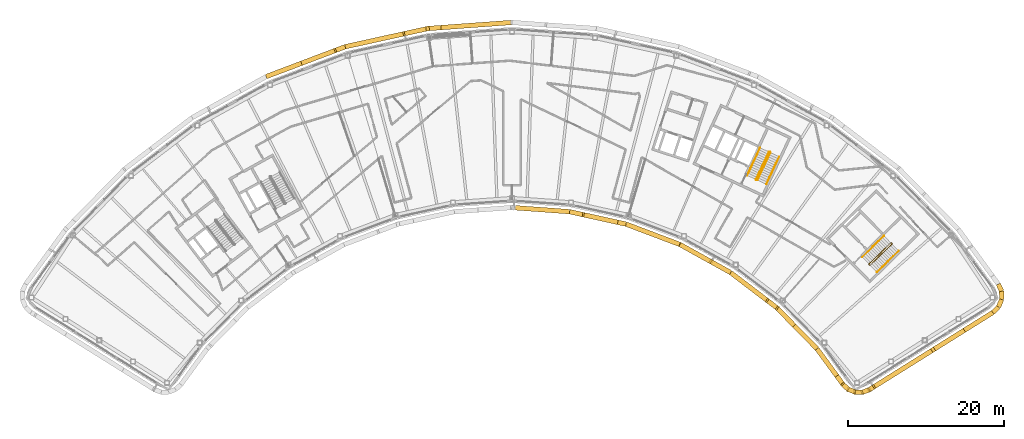
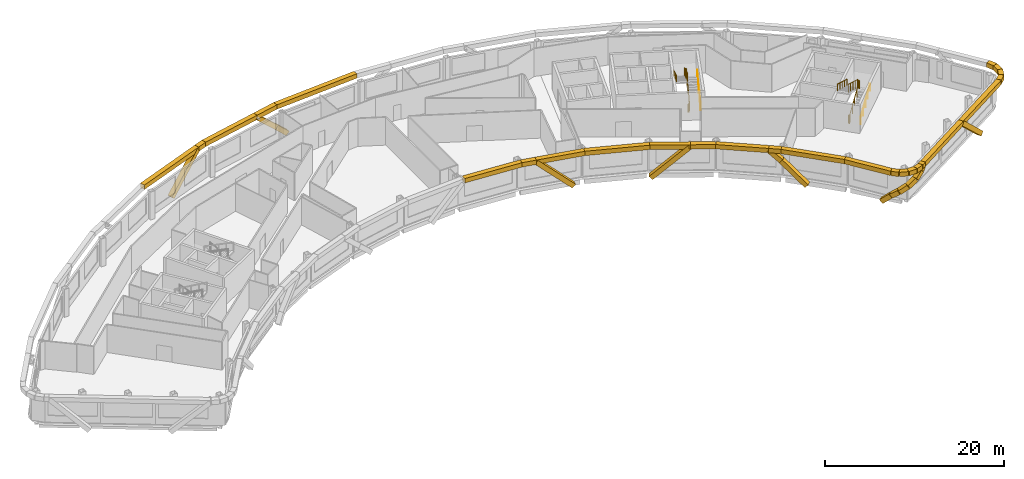
# One storey, part 15 of 17: 40 coverings, 6 railings.
"""IFC4 building model written with IfcOpenShell, lengths in metres."""

import ifcopenshell
import ifcopenshell.guid

model = None  # the IFC model being written
_history = None  # IfcOwnerHistory: only IFC2X3 demands one
_inside = {}  # id of a spatial element -> (the spatial element, [elements in it])
_under = {}  # id of a project, library or spatial element -> (it, [spatial elements below it])
_declared = {}  # id of a project -> (the project, [libraries it declares])
_typed = {}  # id of a type object -> (the type object, [elements of that type])
_made_of = {}  # id of a material, layer set ... -> (it, [elements and type objects made of it])


def new_model(schema):
    """Start an empty IFC model of exactly this schema.

    Asked for "IFC4X3", IfcOpenShell would pick the latest addendum, in which some entities
    have other attributes; the version numbers below select the first issue.
    IFC2X3 requires an IfcOwnerHistory on every rooted entity: one is made here for all.
    """
    global model, _history
    if schema == "IFC4X3":
        model = ifcopenshell.file(schema_version=(4, 3, 0, 0))
    else:
        model = ifcopenshell.file(schema=schema)
    _inside.clear()
    _under.clear()
    _declared.clear()
    _typed.clear()
    _made_of.clear()
    _history = None
    if model.schema == "IFC2X3":
        org = make("IfcOrganization", Name="unknown")
        user = make(
            "IfcPersonAndOrganization",
            ThePerson=make("IfcPerson", FamilyName="unknown"),
            TheOrganization=org,
        )
        app = make(
            "IfcApplication",
            ApplicationDeveloper=org,
            Version="unknown",
            ApplicationFullName="unknown",
            ApplicationIdentifier="unknown",
        )
        _history = make(
            "IfcOwnerHistory",
            OwningUser=user,
            OwningApplication=app,
            ChangeAction="ADDED",
            CreationDate=0,
        )
    return model


def make(cls, **values):
    """One entity of the class cls with the attributes given. An attribute that is None is left unset."""
    return model.create_entity(
        cls, **{name: value for name, value in values.items() if value is not None}
    )


def rooted(cls, **values):
    """An entity with a GlobalId (a new one), such as an element, a storey or a relation."""
    return make(cls, GlobalId=ifcopenshell.guid.new(), OwnerHistory=_history, **values)


def si_unit(unit_type, name, prefix=None):
    """IfcSIUnit, for example si_unit("LENGTHUNIT", "METRE", prefix="MILLI")."""
    return make("IfcSIUnit", UnitType=unit_type, Prefix=prefix, Name=name)


def assignment(units):
    """IfcUnitAssignment: the units of a project."""
    return None if units is None else make("IfcUnitAssignment", Units=units)


def point(xyz):
    """IfcCartesianPoint."""
    return None if xyz is None else make("IfcCartesianPoint", Coordinates=xyz)


def direction(xyz):
    """IfcDirection."""
    return None if xyz is None else make("IfcDirection", DirectionRatios=xyz)


def frame(location, z_axis=None, x_axis=None):
    """IfcAxis2Placement3D, a coordinate frame: its origin and axes. An axis left out is left unset."""
    return make(
        "IfcAxis2Placement3D",
        Location=point(location),
        Axis=direction(z_axis),
        RefDirection=direction(x_axis),
    )


def frame_2d(location, x_axis=None):
    """IfcAxis2Placement2D, a coordinate frame in the plane: its origin and x axis."""
    return make(
        "IfcAxis2Placement2D", Location=point(location), RefDirection=direction(x_axis)
    )


def origin():
    """The frame at (0, 0, 0) with its axes left unset."""
    return frame((0.0, 0.0, 0.0))


def origin_2d():
    """The frame at (0, 0) in the plane with its x axis left unset."""
    return frame_2d((0.0, 0.0))


def place(relative_to, where):
    """IfcLocalPlacement: puts the frame where relative to a parent placement (None: the world)."""
    return make(
        "IfcLocalPlacement", PlacementRelTo=relative_to, RelativePlacement=where
    )


def context(
    kind, dimensions, precision=None, world=None, true_north=None, identifier=None
):
    """IfcGeometricRepresentationContext, for example the 3D "Model" context."""
    return make(
        "IfcGeometricRepresentationContext",
        ContextIdentifier=identifier,
        ContextType=kind,
        CoordinateSpaceDimension=dimensions,
        Precision=precision,
        WorldCoordinateSystem=world,
        TrueNorth=true_north,
    )


def subcontext(parent, identifier, kind, view, scale=None):
    """IfcGeometricRepresentationSubContext, for example "Body" below "Model"."""
    return make(
        "IfcGeometricRepresentationSubContext",
        ContextIdentifier=identifier,
        ContextType=kind,
        ParentContext=parent,
        TargetScale=scale,
        TargetView=view,
    )


def project(units=None, contexts=None):
    """IfcProject with its units and contexts."""
    return rooted(
        "IfcProject",
        Name="project",
        RepresentationContexts=contexts,
        UnitsInContext=assignment(units),
    )


def spatial(cls, under=None, at=None, **own):
    """A site, building, storey or space (cls), placed at a placement, below another one or the project."""
    s = rooted(cls, ObjectPlacement=at, **own)
    if under is not None:
        _under.setdefault(under.id(), (under, []))[1].append(s)
    return s


def profile(cls, at=None, kind="AREA", **sizes):
    """A parametric profile (cls). Its sizes go by their IFC names, for example OverallWidth=200.0."""
    return make(cls, ProfileType=kind, Position=at, **sizes)


def rectangle(**sizes):
    """IfcRectangleProfileDef."""
    return profile("IfcRectangleProfileDef", **sizes)


def circle(**sizes):
    """IfcCircleProfileDef."""
    return profile("IfcCircleProfileDef", **sizes)


def extrude(swept, where, along, depth):
    """IfcExtrudedAreaSolid: the profile swept, set in the frame where, extruded along a direction by depth."""
    return make(
        "IfcExtrudedAreaSolid",
        SweptArea=swept,
        Position=where,
        ExtrudedDirection=direction(along),
        Depth=depth,
    )


def shape(context_of_items, identifier, shape_type, items):
    """IfcShapeRepresentation: the items that make up one representation, for example the "Body"."""
    return make(
        "IfcShapeRepresentation",
        ContextOfItems=context_of_items,
        RepresentationIdentifier=identifier,
        RepresentationType=shape_type,
        Items=items,
    )


def material(Name=None, Category=None):
    """IfcMaterial."""
    return make("IfcMaterial", Name=Name, Category=Category)


def material_profile(
    of_material, cross_section, Name=None, Category=None, Priority=None
):
    """IfcMaterialProfile: a cross section and its material."""
    return make(
        "IfcMaterialProfile",
        Name=Name,
        Material=of_material,
        Profile=cross_section,
        Priority=Priority,
        Category=Category,
    )


def profile_set(profiles, Name=None, composite=None):
    """IfcMaterialProfileSet."""
    return make(
        "IfcMaterialProfileSet",
        Name=Name,
        MaterialProfiles=profiles,
        CompositeProfile=composite,
    )


def made_of(thing, what):
    """Note that an element or type object is made of a material, layer set ...; save() writes the relation."""
    if what is not None:
        _made_of.setdefault(what.id(), (what, []))[1].append(thing)
    return thing


def type_object(cls, material=None, **own):
    """A type object (cls), such as IfcWallType, which elements share."""
    return made_of(rooted(cls, **own), material)


def element(
    cls,
    number,
    at=None,
    inside=None,
    cuts=None,
    type_object=None,
    material=None,
    context=None,
    identifier="Body",
    shape_type=None,
    held_by="IfcProductDefinitionShape",
    body=None,
    shapes=None,
    **own,
):
    """One element of the class cls, such as IfcWall. Its Tag is "e" and its number.

    at: its placement. inside: the storey or other place that contains it. cuts: it is an
    opening in that element (IfcRelVoidsElement). A single representation is given by context,
    identifier, shape_type and body (its items); several are given by shapes. held_by: the class
    of the entity that holds the representations. save() writes the other relations.
    """
    e = rooted(cls, Tag="e%d" % number, ObjectPlacement=at, **own)
    if body is not None:
        shapes = [shape(context, identifier, shape_type, body)]
    if shapes is not None:
        e.Representation = make(held_by, Representations=shapes)
    if inside is not None:
        _inside.setdefault(inside.id(), (inside, []))[1].append(e)
    if cuts is not None:
        rooted(
            "IfcRelVoidsElement", RelatingBuildingElement=cuts, RelatedOpeningElement=e
        )
    if type_object is not None:
        _typed.setdefault(type_object.id(), (type_object, []))[1].append(e)
    return made_of(e, material)


def aggregate(whole, parts):
    """IfcRelAggregates: a whole, such as a stair, and the parts it consists of."""
    return rooted("IfcRelAggregates", RelatingObject=whole, RelatedObjects=parts)


def save(model, path):
    """Write the relations noted so far, then the file.

    IfcRelAggregates (storeys below a building ...), IfcRelContainedInSpatialStructure (elements
    in a storey), IfcRelDefinesByType, IfcRelAssociatesMaterial and IfcRelDeclares: one each for
    every whole, place, type object, material and project.
    """
    for whole, parts in _under.values():
        aggregate(whole, parts)
    for where, things in _inside.values():
        rooted(
            "IfcRelContainedInSpatialStructure",
            RelatedElements=things,
            RelatingStructure=where,
        )
    for kind, things in _typed.values():
        rooted("IfcRelDefinesByType", RelatedObjects=things, RelatingType=kind)
    for what, things in _made_of.values():
        rooted("IfcRelAssociatesMaterial", RelatedObjects=things, RelatingMaterial=what)
    for by, libraries in _declared.values():
        rooted("IfcRelDeclares", RelatingContext=by, RelatedDefinitions=libraries)
    model.write(path)


model = new_model("IFC4")

# Units and contexts
model_context = context("Model", 3, precision=1e-05, world=origin(), true_north=direction((0.0, 1.0)))
body_context = subcontext(model_context, "Body", "Model", "MODEL_VIEW")
ifc_project = project(units=[si_unit("LENGTHUNIT", "METRE"), si_unit("AREAUNIT", "SQUARE_METRE"), si_unit("VOLUMEUNIT", "CUBIC_METRE"), si_unit("PLANEANGLEUNIT", "RADIAN"), si_unit("MASSUNIT", "GRAM", prefix="KILO")], contexts=[model_context])

# Site, building, storey
site_placement = place(None, origin())
site = spatial("IfcSite", under=ifc_project, at=site_placement, CompositionType="ELEMENT")
building_placement = place(site_placement, origin())
building = spatial("IfcBuilding", under=site, at=building_placement, Name="Tuul Gate Civic Tower", CompositionType="ELEMENT")
storey_placement = place(building_placement, frame((0.0, 0.0, 344.89990234375)))
storey = spatial("IfcBuildingStorey", under=building, at=storey_placement, Name="Level 78", CompositionType="ELEMENT", Elevation=344.89990234375)

# Railings
ifc_material_1 = material(Name="Painted steel", Category="steel")
railing_type_1 = type_object("IfcRailingType", Name="Stair guard", PredefinedType="GUARDRAIL", material=ifc_material_1)
railing_1_placement = place(storey_placement, frame((48.10546875, -16.134765625, 0.0)))
element("IfcRailing", 1, at=railing_1_placement, inside=storey, type_object=railing_type_1, Name="Level 78 ST-3 stair guard 1", PredefinedType="GUARDRAIL", context=body_context, shape_type="SweptSolid", body=[
    extrude(circle(Radius=0.02392578125, at=origin_2d()), frame((0.0, 0.0, 1.076171875), z_axis=(-0.698506948293, 0.715603272202, 0.0), x_axis=(-0.715603272202, -0.698506948293, 0.0)), (0.0, 0.0, 1.0), 0.099853515625),
    extrude(circle(Radius=0.02392578125, at=origin_2d()), frame((-0.06982421875, 0.071533203125, 1.076171875), z_axis=(0.644948864628, -0.331432055434, 0.688617277337), x_axis=(0.457068866502, 0.889431307788, 0.0)), (0.0, 0.0, 1.0), 0.218017578125),
    extrude(circle(Radius=0.02392578125, at=origin_2d()), frame((0.07080078125, -0.000732421875, 1.22607421875), z_axis=(0.638731261263, 0.626133563701, 0.447190268558), x_axis=(-0.700029477518, 0.714113947914, 0.0)), (0.0, 0.0, 1.0), 4.3603515625),
    extrude(circle(Radius=0.02392578125, at=origin_2d()), frame((2.85595703125, 2.7294921875, 3.17626953125), z_axis=(0.010380063588, 0.999946125689, 0.0), x_axis=(-0.999946125689, 0.010380063588, 0.0)), (0.0, 0.0, 1.0), 0.070556640625),
    extrude(circle(Radius=0.02392578125, at=origin_2d()), frame((2.856689453125, 2.800048828125, 3.17626953125), z_axis=(-0.699754442181, 0.714383454909, 0.0), x_axis=(-0.714383454909, -0.699754442181, 0.0)), (0.0, 0.0, 1.0), 0.10009765625),
    extrude(circle(Radius=0.02392578125, at=origin_2d()), frame((2.78662109375, 2.87158203125, 3.17626953125), z_axis=(-0.427069033481, 0.004417955519, 0.904208229508), x_axis=(-0.010344274102, -0.999946496565, 0.0)), (0.0, 0.0, 1.0), 0.165771484375),
    extrude(circle(Radius=0.02392578125, at=origin_2d()), frame((2.7158203125, 2.872314453125, 3.326171875), z_axis=(-0.638715268259, -0.626117886127, 0.447235059857), x_axis=(0.700029477518, -0.714113947914, 0.0)), (0.0, 0.0, 1.0), 4.360595703125),
    extrude(circle(Radius=0.02099609375, at=origin_2d()), origin(), (0.0, 0.0, 1.0), 1.052001953125),
    extrude(circle(Radius=0.02099609375, at=origin_2d()), frame((-0.06982421875, 0.071533203125, 0.0)), (0.0, 0.0, 1.0), 1.052001953125),
    extrude(circle(Radius=0.02099609375, at=origin_2d()), frame((0.07080078125, -0.000732421875, 0.150146484375)), (0.0, 0.0, 1.0), 1.052001953125),
    extrude(circle(Radius=0.02099609375, at=origin_2d()), frame((0.76708984375, 0.681884765625, 0.6376953125)), (0.0, 0.0, 1.0), 1.052001953125),
    extrude(circle(Radius=0.02099609375, at=origin_2d()), frame((1.46337890625, 1.3642578125, 1.125)), (0.0, 0.0, 1.0), 1.052001953125),
    extrude(circle(Radius=0.02099609375, at=origin_2d()), frame((2.15966796875, 2.046875, 1.612548828125)), (0.0, 0.0, 1.0), 1.052001953125),
    extrude(circle(Radius=0.02099609375, at=origin_2d()), frame((2.85595703125, 2.7294921875, 2.10009765625)), (0.0, 0.0, 1.0), 1.052001953125),
    extrude(circle(Radius=0.02099609375, at=origin_2d()), frame((2.856689453125, 2.800048828125, 2.10009765625)), (0.0, 0.0, 1.0), 1.052001953125),
    extrude(circle(Radius=0.02099609375, at=origin_2d()), frame((2.78662109375, 2.87158203125, 2.10009765625)), (0.0, 0.0, 1.0), 1.052001953125),
    extrude(circle(Radius=0.02099609375, at=origin_2d()), frame((2.7158203125, 2.872314453125, 2.25)), (0.0, 0.0, 1.0), 1.052001953125),
    extrude(circle(Radius=0.02099609375, at=origin_2d()), frame((2.01953125, 2.189697265625, 2.737548828125)), (0.0, 0.0, 1.0), 1.052001953125),
    extrude(circle(Radius=0.02099609375, at=origin_2d()), frame((1.3232421875, 1.50732421875, 3.22509765625)), (0.0, 0.0, 1.0), 1.052001953125),
    extrude(circle(Radius=0.02099609375, at=origin_2d()), frame((0.626953125, 0.82470703125, 3.712646484375)), (0.0, 0.0, 1.0), 1.052001953125),
    extrude(circle(Radius=0.02099609375, at=origin_2d()), frame((-0.0693359375, 0.14208984375, 4.2001953125)), (0.0, 0.0, 1.0), 1.052001953125),
])
railing_2_placement = place(storey_placement, frame((33.645751953125, -5.238525390625, 0.0)))
element("IfcRailing", 2, at=railing_2_placement, inside=storey, type_object=railing_type_1, Name="Level 78 ST-4 stair guard 1", PredefinedType="GUARDRAIL", context=body_context, shape_type="SweptSolid", body=[
    extrude(circle(Radius=0.02392578125, at=origin_2d()), frame((0.0, 0.0, 1.076171875), z_axis=(-0.906307919131, 0.422617978463, 0.0), x_axis=(-0.422617978463, -0.906307919131, 0.0)), (0.0, 0.0, 1.0), 0.099853515625),
    extrude(circle(Radius=0.02392578125, at=origin_2d()), frame((-0.090576171875, 0.042236328125, 1.076171875), z_axis=(0.720179819621, -0.082882280952, 0.688818956559), x_axis=(0.114330889033, 0.993442724979, 0.0)), (0.0, 0.0, 1.0), 0.218017578125),
    extrude(circle(Radius=0.02392578125, at=origin_2d()), frame((0.06640625, 0.024169921875, 1.22607421875), z_axis=(0.377946903738, 0.810654114417, 0.447209173356), x_axis=(-0.906336612539, 0.422556439746, 0.0)), (0.0, 0.0, 1.0), 4.3603515625),
    extrude(circle(Radius=0.02392578125, at=origin_2d()), frame((1.71435546875, 3.558837890625, 3.17626953125), z_axis=(-0.342020437038, 0.939692513883, 0.0), x_axis=(-0.939692513883, -0.342020437038, 0.0)), (0.0, 0.0, 1.0), 0.070556640625),
    extrude(circle(Radius=0.02392578125, at=origin_2d()), frame((1.690185546875, 3.625244140625, 3.17626953125), z_axis=(-0.906307919131, 0.422617978463, 0.0), x_axis=(-0.422617978463, -0.906307919131, 0.0)), (0.0, 0.0, 1.0), 0.099853515625),
    extrude(circle(Radius=0.02392578125, at=origin_2d()), frame((1.599609375, 3.66748046875, 3.17626953125), z_axis=(-0.40070210376, -0.145843780413, 0.904526072458), x_axis=(0.342020437038, -0.939692513883, 0.0)), (0.0, 0.0, 1.0), 0.165771484375),
    extrude(circle(Radius=0.02392578125, at=origin_2d()), frame((1.533203125, 3.643310546875, 3.326171875), z_axis=(-0.377937439636, -0.810633814971, 0.447253965602), x_axis=(0.906336612539, -0.422556439746, 0.0)), (0.0, 0.0, 1.0), 4.3603515625),
    extrude(circle(Radius=0.02099609375, at=origin_2d()), origin(), (0.0, 0.0, 1.0), 1.052001953125),
    extrude(circle(Radius=0.02099609375, at=origin_2d()), frame((-0.090576171875, 0.042236328125, 0.0)), (0.0, 0.0, 1.0), 1.052001953125),
    extrude(circle(Radius=0.02099609375, at=origin_2d()), frame((0.06640625, 0.024169921875, 0.150146484375)), (0.0, 0.0, 1.0), 1.052001953125),
    extrude(circle(Radius=0.02099609375, at=origin_2d()), frame((0.478515625, 0.90771484375, 0.6376953125)), (0.0, 0.0, 1.0), 1.052001953125),
    extrude(circle(Radius=0.02099609375, at=origin_2d()), frame((0.890380859375, 1.79150390625, 1.125)), (0.0, 0.0, 1.0), 1.052001953125),
    extrude(circle(Radius=0.02099609375, at=origin_2d()), frame((1.30224609375, 2.67529296875, 1.612548828125)), (0.0, 0.0, 1.0), 1.052001953125),
    extrude(circle(Radius=0.02099609375, at=origin_2d()), frame((1.71435546875, 3.558837890625, 2.10009765625)), (0.0, 0.0, 1.0), 1.052001953125),
    extrude(circle(Radius=0.02099609375, at=origin_2d()), frame((1.690185546875, 3.625244140625, 2.10009765625)), (0.0, 0.0, 1.0), 1.052001953125),
    extrude(circle(Radius=0.02099609375, at=origin_2d()), frame((1.599609375, 3.66748046875, 2.10009765625)), (0.0, 0.0, 1.0), 1.052001953125),
    extrude(circle(Radius=0.02099609375, at=origin_2d()), frame((1.533203125, 3.643310546875, 2.25)), (0.0, 0.0, 1.0), 1.052001953125),
    extrude(circle(Radius=0.02099609375, at=origin_2d()), frame((1.12109375, 2.759765625, 2.737548828125)), (0.0, 0.0, 1.0), 1.052001953125),
    extrude(circle(Radius=0.02099609375, at=origin_2d()), frame((0.709228515625, 1.8759765625, 3.22509765625)), (0.0, 0.0, 1.0), 1.052001953125),
    extrude(circle(Radius=0.02099609375, at=origin_2d()), frame((0.29736328125, 0.9921875, 3.712646484375)), (0.0, 0.0, 1.0), 1.052001953125),
    extrude(circle(Radius=0.02099609375, at=origin_2d()), frame((-0.11474609375, 0.108642578125, 4.2001953125)), (0.0, 0.0, 1.0), 1.052001953125),
])
ifc_material_2 = material(Name="Painted steel", Category="steel")
railing_type_2 = type_object("IfcRailingType", Name="Stair handrail", PredefinedType="HANDRAIL", material=ifc_material_2)
railing_3_placement = place(storey_placement, frame((49.05126953125, -17.028076171875, 0.150146484375)))
element("IfcRailing", 3, at=railing_3_placement, inside=storey, type_object=railing_type_2, Name="Level 78 ST-3 stair handrail 1", PredefinedType="HANDRAIL", context=body_context, shape_type="SweptSolid", body=[
    extrude(circle(Radius=0.02392578125, at=origin_2d()), frame((0.0, 0.0, 0.8759765625), z_axis=(0.638753653487, 0.626099522554, 0.447205945863), x_axis=(-0.699997553204, 0.714145241186, 0.0)), (0.0, 0.0, 1.0), 4.3603515625),
    extrude(circle(Radius=0.02099609375, at=origin_2d()), origin(), (0.0, 0.0, 1.0), 0.851806640625),
    extrude(circle(Radius=0.02099609375, at=origin_2d()), frame((0.6962890625, 0.6826171875, 0.487548828125)), (0.0, 0.0, 1.0), 0.851806640625),
    extrude(circle(Radius=0.02099609375, at=origin_2d()), frame((1.392578125, 1.364990234375, 0.97509765625)), (0.0, 0.0, 1.0), 0.851806640625),
    extrude(circle(Radius=0.02099609375, at=origin_2d()), frame((2.0888671875, 2.04736328125, 1.46240234375)), (0.0, 0.0, 1.0), 0.851806640625),
    extrude(circle(Radius=0.02099609375, at=origin_2d()), frame((2.78515625, 2.72998046875, 1.949951171875)), (0.0, 0.0, 1.0), 0.851806640625),
])
railing_4_placement = place(storey_placement, frame((49.9462890625, -12.369873046875, 2.25)))
element("IfcRailing", 4, at=railing_4_placement, inside=storey, type_object=railing_type_2, Name="Level 78 ST-3 stair handrail 2", PredefinedType="HANDRAIL", context=body_context, shape_type="SweptSolid", body=[
    extrude(circle(Radius=0.02392578125, at=origin_2d()), frame((0.0, 0.0, 0.8759765625), z_axis=(-0.638737658801, -0.626083844733, 0.447250737947), x_axis=(0.699997553204, -0.714145241186, 0.0)), (0.0, 0.0, 1.0), 4.3603515625),
    extrude(circle(Radius=0.02099609375, at=origin_2d()), origin(), (0.0, 0.0, 1.0), 0.851806640625),
    extrude(circle(Radius=0.02099609375, at=origin_2d()), frame((-0.6962890625, -0.6826171875, 0.487548828125)), (0.0, 0.0, 1.0), 0.851806640625),
    extrude(circle(Radius=0.02099609375, at=origin_2d()), frame((-1.392578125, -1.364990234375, 0.97509765625)), (0.0, 0.0, 1.0), 0.851806640625),
    extrude(circle(Radius=0.02099609375, at=origin_2d()), frame((-2.0888671875, -2.04736328125, 1.462646484375)), (0.0, 0.0, 1.0), 0.851806640625),
    extrude(circle(Radius=0.02099609375, at=origin_2d()), frame((-2.78515625, -2.72998046875, 1.9501953125)), (0.0, 0.0, 1.0), 0.851806640625),
])
railing_5_placement = place(storey_placement, frame((34.844970703125, -5.74267578125, 0.150146484375)))
element("IfcRailing", 5, at=railing_5_placement, inside=storey, type_object=railing_type_2, Name="Level 78 ST-4 stair handrail 1", PredefinedType="HANDRAIL", context=body_context, shape_type="SweptSolid", body=[
    extrude(circle(Radius=0.02392578125, at=origin_2d()), frame((0.0, 0.0, 0.8759765625), z_axis=(0.377994896215, 0.810636958585, 0.447199709091), x_axis=(-0.906312636903, 0.422607861012, 0.0)), (0.0, 0.0, 1.0), 4.3603515625),
    extrude(circle(Radius=0.02099609375, at=origin_2d()), origin(), (0.0, 0.0, 1.0), 0.851806640625),
    extrude(circle(Radius=0.02099609375, at=origin_2d()), frame((0.412109375, 0.8837890625, 0.487548828125)), (0.0, 0.0, 1.0), 0.851806640625),
    extrude(circle(Radius=0.02099609375, at=origin_2d()), frame((0.82421875, 1.767333984375, 0.97509765625)), (0.0, 0.0, 1.0), 0.851806640625),
    extrude(circle(Radius=0.02099609375, at=origin_2d()), frame((1.236083984375, 2.65087890625, 1.46240234375)), (0.0, 0.0, 1.0), 0.851806640625),
    extrude(circle(Radius=0.02099609375, at=origin_2d()), frame((1.648193359375, 3.53466796875, 1.949951171875)), (0.0, 0.0, 1.0), 0.851806640625),
])
railing_6_placement = place(storey_placement, frame((34.046142578125, -1.06689453125, 2.25)))
element("IfcRailing", 6, at=railing_6_placement, inside=storey, type_object=railing_type_2, Name="Level 78 ST-4 stair handrail 2", PredefinedType="HANDRAIL", context=body_context, shape_type="SweptSolid", body=[
    extrude(circle(Radius=0.02392578125, at=origin_2d()), frame((0.0, 0.0, 0.8759765625), z_axis=(-0.377985431313, -0.810616660428, 0.447244500863), x_axis=(0.906312636903, -0.422607861012, 0.0)), (0.0, 0.0, 1.0), 4.3603515625),
    extrude(circle(Radius=0.02099609375, at=origin_2d()), origin(), (0.0, 0.0, 1.0), 0.851806640625),
    extrude(circle(Radius=0.02099609375, at=origin_2d()), frame((-0.412109375, -0.8837890625, 0.487548828125)), (0.0, 0.0, 1.0), 0.851806640625),
    extrude(circle(Radius=0.02099609375, at=origin_2d()), frame((-0.82421875, -1.767333984375, 0.97509765625)), (0.0, 0.0, 1.0), 0.851806640625),
    extrude(circle(Radius=0.02099609375, at=origin_2d()), frame((-1.236083984375, -2.65087890625, 1.462646484375)), (0.0, 0.0, 1.0), 0.851806640625),
    extrude(circle(Radius=0.02099609375, at=origin_2d()), frame((-1.648193359375, -3.53466796875, 1.9501953125)), (0.0, 0.0, 1.0), 0.851806640625),
])

# Coverings
ifc_material_3 = material(Name="Terracotta baguette", Category="masonry")
ifc_material_profile = material_profile(ifc_material_3, rectangle(XDim=0.60009765625, YDim=0.60009765625, at=origin_2d()), Name="Terracotta baguette screen frame")
ifc_profile_set = profile_set([ifc_material_profile], Name="Terracotta baguette")
covering_type = type_object("IfcCoveringType", Name="Terracotta baguette screen frame", PredefinedType="CLADDING", material=ifc_profile_set)
covering_1_placement = place(storey_placement, frame((60.09326171875, -24.597900390625, -0.349853515625), z_axis=(-0.621692196539, -0.388419240575, 0.680168586686), x_axis=(0.529863185224, -0.848083135633, 0.0)))
element("IfcCovering", 7, at=covering_1_placement, inside=storey, type_object=covering_type, Name="Baguette 10", PredefinedType="CLADDING", context=body_context, shape_type="SweptSolid", body=[
    extrude(rectangle(XDim=0.60009765625, YDim=0.60009765625, at=origin_2d()), origin(), (0.0, 0.0, 1.0), 6.1748046875),
])
covering_2_placement = place(storey_placement, frame((-7.125244140625, 14.356201171875, -0.349853515625), z_axis=(-0.731858300416, -0.053064178473, 0.679387680986), x_axis=(0.072316243879, -0.997381752826, 0.0)))
element("IfcCovering", 8, at=covering_2_placement, inside=storey, type_object=covering_type, Name="Baguette 85", PredefinedType="CLADDING", context=body_context, shape_type="SweptSolid", body=[
    extrude(rectangle(XDim=0.60009765625, YDim=0.60009765625, at=origin_2d()), origin(), (0.0, 0.0, 1.0), 2.056640625),
])
covering_3_placement = place(storey_placement, frame((-8.63037109375, 14.2470703125, 1.04736328125), z_axis=(-0.716572290363, -0.157896834381, 0.679406168927), x_axis=(0.215187960952, -0.976572650376, 0.0)))
element("IfcCovering", 9, at=covering_3_placement, inside=storey, type_object=covering_type, Name="Baguette 86", PredefinedType="CLADDING", context=body_context, shape_type="SweptSolid", body=[
    extrude(rectangle(XDim=0.60009765625, YDim=0.60009765625, at=origin_2d()), origin(), (0.0, 0.0, 1.0), 4.125244140625),
])
covering_4_placement = place(storey_placement, frame((-11.58642578125, 13.595703125, 3.85009765625), z_axis=(-0.976562944913, -0.215232001854, 0.0), x_axis=(0.215232001854, -0.976562944913, 0.0)))
element("IfcCovering", 10, at=covering_4_placement, inside=storey, type_object=covering_type, Name="Baguette 91", PredefinedType="CLADDING", context=body_context, shape_type="SweptSolid", body=[
    extrude(rectangle(XDim=0.60009765625, YDim=0.60009765625, at=origin_2d()), origin(), (0.0, 0.0, 1.0), 7.824462890625),
])
covering_5_placement = place(storey_placement, frame((-19.2275390625, 11.91162109375, 3.85009765625), z_axis=(-0.935377216665, -0.353651611821, 0.0), x_axis=(0.353651611821, -0.935377216665, 0.0)))
element("IfcCovering", 11, at=covering_5_placement, inside=storey, type_object=covering_type, Name="Baguette 92", PredefinedType="CLADDING", context=body_context, shape_type="SweptSolid", body=[
    extrude(rectangle(XDim=0.60009765625, YDim=0.60009765625, at=origin_2d()), origin(), (0.0, 0.0, 1.0), 1.248046875),
])
covering_6_placement = place(storey_placement, frame((-20.39501953125, 11.47021484375, 3.85009765625), z_axis=(-0.686334381292, -0.259582017851, -0.679383759789), x_axis=(0.353758489664, -0.935336800832, 0.0)))
element("IfcCovering", 12, at=covering_6_placement, inside=storey, type_object=covering_type, Name="Baguette 94", PredefinedType="CLADDING", context=body_context, shape_type="SweptSolid", body=[
    extrude(rectangle(XDim=0.60009765625, YDim=0.60009765625, at=origin_2d()), origin(), (0.0, 0.0, 1.0), 6.181884765625),
])
covering_7_placement = place(storey_placement, frame((2.453857421875, -8.75, 3.85009765625), z_axis=(0.997385437558, -0.072265406293, 0.0), x_axis=(0.072265406293, 0.997385437558, 0.0)))
element("IfcCovering", 13, at=covering_7_placement, inside=storey, type_object=covering_type, Name="Baguette 224", PredefinedType="CLADDING", context=body_context, shape_type="SweptSolid", body=[
    extrude(rectangle(XDim=0.60009765625, YDim=0.60009765625, at=origin_2d()), origin(), (0.0, 0.0, 1.0), 7.155517578125),
])
covering_8_placement = place(storey_placement, frame((9.590576171875, -9.26708984375, 3.85009765625), z_axis=(0.976551365634, -0.215284533302, 0.0), x_axis=(0.215284533302, 0.976551365634, 0.0)))
element("IfcCovering", 14, at=covering_8_placement, inside=storey, type_object=covering_type, Name="Baguette 225", PredefinedType="CLADDING", context=body_context, shape_type="SweptSolid", body=[
    extrude(rectangle(XDim=0.60009765625, YDim=0.60009765625, at=origin_2d()), origin(), (0.0, 0.0, 1.0), 1.696533203125),
])
for number, where, z_axis, x_axis, name in (
    (15, (11.247314453125, -9.63232421875, 3.85009765625), (0.708386476758, -0.156129915969, -0.688340067762), (0.215236378617, 0.976561980276, 0.0), "Baguette 227"),
    (16, (23.894287109375, -13.5546875, -0.349853515625), (0.634441801844, -0.351671859007, 0.688338945328), (0.484804374507, 0.87462261488, 0.0), "Baguette 239"),
):
    element("IfcCovering", number, at=place(storey_placement, frame(where, z_axis=z_axis, x_axis=x_axis)), inside=storey, type_object=covering_type, Name=name, PredefinedType="CLADDING", context=body_context, shape_type="SweptSolid", body=[
        extrude(rectangle(XDim=0.60009765625, YDim=0.60009765625, at=origin_2d()), origin(), (0.0, 0.0, 1.0), 6.1015625),
    ])
covering_9_placement = place(storey_placement, frame((27.765380859375, -15.700439453125, 3.85009765625), z_axis=(0.874661324185, -0.484734533507, 0.0), x_axis=(0.484734533507, 0.874661324185, 0.0)))
element("IfcCovering", 17, at=covering_9_placement, inside=storey, type_object=covering_type, Name="Baguette 244", PredefinedType="CLADDING", context=body_context, shape_type="SweptSolid", body=[
    extrude(rectangle(XDim=0.60009765625, YDim=0.60009765625, at=origin_2d()), origin(), (0.0, 0.0, 1.0), 2.853271484375),
])
covering_10_placement = place(storey_placement, frame((30.260986328125, -17.08349609375, 3.85009765625), z_axis=(0.795563429455, -0.605870307668, 0.0), x_axis=(0.605870307668, 0.795563429455, 0.0)))
element("IfcCovering", 18, at=covering_10_placement, inside=storey, type_object=covering_type, Name="Baguette 245", PredefinedType="CLADDING", context=body_context, shape_type="SweptSolid", body=[
    extrude(rectangle(XDim=0.60009765625, YDim=0.60009765625, at=origin_2d()), origin(), (0.0, 0.0, 1.0), 5.998779296875),
])
covering_11_placement = place(storey_placement, frame((35.033447265625, -20.718017578125, 3.85009765625), z_axis=(0.577044538057, -0.439522245467, -0.688360223167), x_axis=(0.605929173105, 0.795518596376, 0.0)))
element("IfcCovering", 19, at=covering_11_placement, inside=storey, type_object=covering_type, Name="Baguette 248", PredefinedType="CLADDING", context=body_context, shape_type="SweptSolid", body=[
    extrude(rectangle(XDim=0.60009765625, YDim=0.60009765625, at=origin_2d()), origin(), (0.0, 0.0, 1.0), 1.956298828125),
])
covering_12_placement = place(storey_placement, frame((36.162353515625, -21.577880859375, 2.50341796875), z_axis=(0.507871380474, -0.517942818031, -0.688332694375), x_axis=(0.714014739077, 0.700130668076, 0.0)))
element("IfcCovering", 20, at=covering_12_placement, inside=storey, type_object=covering_type, Name="Baguette 249", PredefinedType="CLADDING", context=body_context, shape_type="SweptSolid", body=[
    extrude(rectangle(XDim=0.60009765625, YDim=0.60009765625, at=origin_2d()), origin(), (0.0, 0.0, 1.0), 4.145263671875),
])
covering_13_placement = place(storey_placement, frame((44.0205078125, -30.52392578125, -0.349853515625), z_axis=(0.431336498172, -0.590665970008, 0.681954937821), x_axis=(0.807589091071, 0.589745589202, 0.0)))
element("IfcCovering", 21, at=covering_13_placement, inside=storey, type_object=covering_type, Name="Baguette 276", PredefinedType="CLADDING", context=body_context, shape_type="SweptSolid", body=[
    extrude(rectangle(XDim=0.60009765625, YDim=0.60009765625, at=origin_2d()), origin(), (0.0, 0.0, 1.0), 1.5751953125),
])
covering_14_placement = place(storey_placement, frame((44.699951171875, -31.454345703125, 0.724365234375), z_axis=(0.593806051416, -0.5559082255, 0.581687560571), x_axis=(0.68342735956, 0.730018523193, 0.0)))
element("IfcCovering", 22, at=covering_14_placement, inside=storey, type_object=covering_type, Name="Baguette 277", PredefinedType="CLADDING", context=body_context, shape_type="SweptSolid", body=[
    extrude(rectangle(XDim=0.60009765625, YDim=0.60009765625, at=origin_2d()), origin(), (0.0, 0.0, 1.0), 1.108154296875),
])
covering_15_placement = place(storey_placement, frame((45.35791015625, -32.0703125, 1.368896484375), z_axis=(0.774633026273, -0.308349068711, 0.552145385232), x_axis=(0.369834920181, 0.929097482407, 0.0)))
element("IfcCovering", 23, at=covering_15_placement, inside=storey, type_object=covering_type, Name="Baguette 278", PredefinedType="CLADDING", context=body_context, shape_type="SweptSolid", body=[
    extrude(rectangle(XDim=0.60009765625, YDim=0.60009765625, at=origin_2d()), origin(), (0.0, 0.0, 1.0), 1.168701171875),
])
covering_16_placement = place(storey_placement, frame((46.26318359375, -32.4306640625, 2.01416015625), z_axis=(0.833941321426, -0.002300239352, 0.551848331806), x_axis=(0.002758264332, 0.999996195982, 0.0)))
element("IfcCovering", 24, at=covering_16_placement, inside=storey, type_object=covering_type, Name="Baguette 279", PredefinedType="CLADDING", context=body_context, shape_type="SweptSolid", body=[
    extrude(rectangle(XDim=0.60009765625, YDim=0.60009765625, at=origin_2d()), origin(), (0.0, 0.0, 1.0), 1.16748046875),
])
covering_17_placement = place(storey_placement, frame((47.23681640625, -32.433349609375, 2.658447265625), z_axis=(0.758041773655, 0.295283714156, 0.581532628103), x_axis=(-0.362969067807, 0.931801188997, 0.0)))
element("IfcCovering", 25, at=covering_17_placement, inside=storey, type_object=covering_type, Name="Baguette 280", PredefinedType="CLADDING", context=body_context, shape_type="SweptSolid", body=[
    extrude(rectangle(XDim=0.60009765625, YDim=0.60009765625, at=origin_2d()), origin(), (0.0, 0.0, 1.0), 1.10791015625),
])
covering_18_placement = place(storey_placement, frame((48.07666015625, -32.106201171875, 3.302734375), z_axis=(0.621669803131, 0.38835400098, 0.680226304841), x_axis=(-0.52981289744, 0.848114552231, 0.0)))
element("IfcCovering", 26, at=covering_18_placement, inside=storey, type_object=covering_type, Name="Baguette 281", PredefinedType="CLADDING", context=body_context, shape_type="SweptSolid", body=[
    extrude(rectangle(XDim=0.60009765625, YDim=0.60009765625, at=origin_2d()), origin(), (0.0, 0.0, 1.0), 0.8046875),
])
covering_19_placement = place(storey_placement, frame((48.576904296875, -31.793701171875, 3.85009765625), z_axis=(0.848051326016, 0.529914095342, 0.0), x_axis=(-0.529914095342, 0.848051326016, 0.0)))
element("IfcCovering", 27, at=covering_19_placement, inside=storey, type_object=covering_type, Name="Baguette 284", PredefinedType="CLADDING", context=body_context, shape_type="SweptSolid", body=[
    extrude(rectangle(XDim=0.60009765625, YDim=0.60009765625, at=origin_2d()), origin(), (0.0, 0.0, 1.0), 9.052978515625),
])
covering_20_placement = place(storey_placement, frame((2.19189453125, 15.031005859375, 3.85009765625), z_axis=(-0.99738669964, -0.072247985304, 0.0), x_axis=(0.072247985304, -0.99738669964, 0.0)))
element("IfcCovering", 28, at=covering_20_placement, inside=storey, type_object=covering_type, Name="Baguette 425", PredefinedType="CLADDING", context=body_context, shape_type="SweptSolid", body=[
    extrude(rectangle(XDim=0.60009765625, YDim=0.60009765625, at=origin_2d()), origin(), (0.0, 0.0, 1.0), 10.8505859375),
])
covering_21_placement = place(storey_placement, frame((-8.63037109375, 14.2470703125, 3.85009765625), z_axis=(-0.976572650376, -0.215187960952, 0.0), x_axis=(0.215187960952, -0.976572650376, 0.0)))
element("IfcCovering", 29, at=covering_21_placement, inside=storey, type_object=covering_type, Name="Baguette 426", PredefinedType="CLADDING", context=body_context, shape_type="SweptSolid", body=[
    extrude(rectangle(XDim=0.60009765625, YDim=0.60009765625, at=origin_2d()), origin(), (0.0, 0.0, 1.0), 3.02685546875),
])
covering_22_placement = place(storey_placement, frame((-20.39501953125, 11.47021484375, 3.85009765625), z_axis=(-0.935344466334, -0.353738221428, 0.0), x_axis=(0.353738221428, -0.935344466334, 0.0)))
element("IfcCovering", 30, at=covering_22_placement, inside=storey, type_object=covering_type, Name="Baguette 427", PredefinedType="CLADDING", context=body_context, shape_type="SweptSolid", body=[
    extrude(rectangle(XDim=0.60009765625, YDim=0.60009765625, at=origin_2d()), origin(), (0.0, 0.0, 1.0), 9.60302734375),
])
covering_23_placement = place(storey_placement, frame((11.247314453125, -9.63232421875, 3.85009765625), z_axis=(0.976561115954, -0.215240300147, 0.0), x_axis=(0.215240300147, 0.976561115954, 0.0)))
element("IfcCovering", 31, at=covering_23_placement, inside=storey, type_object=covering_type, Name="Baguette 440", PredefinedType="CLADDING", context=body_context, shape_type="SweptSolid", body=[
    extrude(rectangle(XDim=0.60009765625, YDim=0.60009765625, at=origin_2d()), origin(), (0.0, 0.0, 1.0), 5.72119140625),
])
covering_24_placement = place(storey_placement, frame((16.83447265625, -10.86376953125, 3.85009765625), z_axis=(0.935368082117, -0.353675770951, 0.0), x_axis=(0.353675770951, 0.935368082117, 0.0)))
element("IfcCovering", 32, at=covering_24_placement, inside=storey, type_object=covering_type, Name="Baguette 441", PredefinedType="CLADDING", context=body_context, shape_type="SweptSolid", body=[
    extrude(rectangle(XDim=0.60009765625, YDim=0.60009765625, at=origin_2d()), origin(), (0.0, 0.0, 1.0), 7.41796875),
])
covering_25_placement = place(storey_placement, frame((23.77294921875, -13.4873046875, 3.85009765625), z_axis=(0.874610996731, -0.484825333906, 0.0), x_axis=(0.484825333906, 0.874610996731, 0.0)))
element("IfcCovering", 33, at=covering_25_placement, inside=storey, type_object=covering_type, Name="Baguette 442", PredefinedType="CLADDING", context=body_context, shape_type="SweptSolid", body=[
    extrude(rectangle(XDim=0.60009765625, YDim=0.60009765625, at=origin_2d()), origin(), (0.0, 0.0, 1.0), 4.564697265625),
])
covering_26_placement = place(storey_placement, frame((35.033447265625, -20.718017578125, 3.85009765625), z_axis=(0.795518596376, -0.605929173105, 0.0), x_axis=(0.605929173105, 0.795518596376, 0.0)))
element("IfcCovering", 34, at=covering_26_placement, inside=storey, type_object=covering_type, Name="Baguette 443", PredefinedType="CLADDING", context=body_context, shape_type="SweptSolid", body=[
    extrude(rectangle(XDim=0.60009765625, YDim=0.60009765625, at=origin_2d()), origin(), (0.0, 0.0, 1.0), 1.419189453125),
])
covering_27_placement = place(storey_placement, frame((36.162353515625, -21.577880859375, 3.85009765625), z_axis=(0.70011122783, -0.714033800787, 0.0), x_axis=(0.714033800787, 0.70011122783, 0.0)))
element("IfcCovering", 35, at=covering_27_placement, inside=storey, type_object=covering_type, Name="Baguette 444", PredefinedType="CLADDING", context=body_context, shape_type="SweptSolid", body=[
    extrude(rectangle(XDim=0.60009765625, YDim=0.60009765625, at=origin_2d()), origin(), (0.0, 0.0, 1.0), 7.41748046875),
])
covering_28_placement = place(storey_placement, frame((41.35546875, -26.874267578125, 3.85009765625), z_axis=(0.589729447422, -0.807600878432, 0.0), x_axis=(0.807600878432, 0.589729447422, 0.0)))
element("IfcCovering", 36, at=covering_28_placement, inside=storey, type_object=covering_type, Name="Baguette 445", PredefinedType="CLADDING", context=body_context, shape_type="SweptSolid", body=[
    extrude(rectangle(XDim=0.60009765625, YDim=0.60009765625, at=origin_2d()), origin(), (0.0, 0.0, 1.0), 5.671142578125),
])
covering_29_placement = place(storey_placement, frame((44.699951171875, -31.454345703125, 3.85009765625), z_axis=(0.730018523193, -0.68342735956, 0.0), x_axis=(0.68342735956, 0.730018523193, 0.0)))
element("IfcCovering", 37, at=covering_29_placement, inside=storey, type_object=covering_type, Name="Baguette 446", PredefinedType="CLADDING", context=body_context, shape_type="SweptSolid", body=[
    extrude(rectangle(XDim=0.60009765625, YDim=0.60009765625, at=origin_2d()), origin(), (0.0, 0.0, 1.0), 0.9013671875),
])
covering_30_placement = place(storey_placement, frame((45.35791015625, -32.0703125, 3.85009765625), z_axis=(0.929097482407, -0.369834920181, 0.0), x_axis=(0.369834920181, 0.929097482407, 0.0)))
element("IfcCovering", 38, at=covering_30_placement, inside=storey, type_object=covering_type, Name="Baguette 447", PredefinedType="CLADDING", context=body_context, shape_type="SweptSolid", body=[
    extrude(rectangle(XDim=0.60009765625, YDim=0.60009765625, at=origin_2d()), origin(), (0.0, 0.0, 1.0), 0.974365234375),
])
covering_31_placement = place(storey_placement, frame((46.26318359375, -32.4306640625, 3.85009765625), z_axis=(0.999996195982, -0.002758264332, 0.0), x_axis=(0.002758264332, 0.999996195982, 0.0)))
element("IfcCovering", 39, at=covering_31_placement, inside=storey, type_object=covering_type, Name="Baguette 448", PredefinedType="CLADDING", context=body_context, shape_type="SweptSolid", body=[
    extrude(rectangle(XDim=0.60009765625, YDim=0.60009765625, at=origin_2d()), origin(), (0.0, 0.0, 1.0), 0.9736328125),
])
covering_32_placement = place(storey_placement, frame((47.23681640625, -32.433349609375, 3.85009765625), z_axis=(0.931801188997, 0.362969067807, 0.0), x_axis=(-0.362969067807, 0.931801188997, 0.0)))
element("IfcCovering", 40, at=covering_32_placement, inside=storey, type_object=covering_type, Name="Baguette 449", PredefinedType="CLADDING", context=body_context, shape_type="SweptSolid", body=[
    extrude(rectangle(XDim=0.60009765625, YDim=0.60009765625, at=origin_2d()), origin(), (0.0, 0.0, 1.0), 0.9013671875),
])
covering_33_placement = place(storey_placement, frame((48.07666015625, -32.106201171875, 3.85009765625), z_axis=(0.848114552231, 0.52981289744, 0.0), x_axis=(-0.52981289744, 0.848114552231, 0.0)))
element("IfcCovering", 41, at=covering_33_placement, inside=storey, type_object=covering_type, Name="Baguette 450", PredefinedType="CLADDING", context=body_context, shape_type="SweptSolid", body=[
    extrude(rectangle(XDim=0.60009765625, YDim=0.60009765625, at=origin_2d()), origin(), (0.0, 0.0, 1.0), 0.58984375),
])
covering_34_placement = place(storey_placement, frame((56.25439453125, -26.996337890625, 3.85009765625), z_axis=(0.848063445072, 0.529894700042, 0.0), x_axis=(-0.529894700042, 0.848063445072, 0.0)))
element("IfcCovering", 42, at=covering_34_placement, inside=storey, type_object=covering_type, Name="Baguette 451", PredefinedType="CLADDING", context=body_context, shape_type="SweptSolid", body=[
    extrude(rectangle(XDim=0.60009765625, YDim=0.60009765625, at=origin_2d()), origin(), (0.0, 0.0, 1.0), 9.052978515625),
])
covering_35_placement = place(storey_placement, frame((63.931884765625, -22.19921875, 3.85009765625), z_axis=(0.722132123325, 0.691755156441, 0.0), x_axis=(-0.691755156441, 0.722132123325, 0.0)))
element("IfcCovering", 43, at=covering_35_placement, inside=storey, type_object=covering_type, Name="Baguette 452", PredefinedType="CLADDING", context=body_context, shape_type="SweptSolid", body=[
    extrude(rectangle(XDim=0.60009765625, YDim=0.60009765625, at=origin_2d()), origin(), (0.0, 0.0, 1.0), 0.988525390625),
])
covering_36_placement = place(storey_placement, frame((64.645751953125, -21.515380859375, 3.85009765625), z_axis=(0.38567152588, 0.92263615479, 0.0), x_axis=(-0.92263615479, 0.38567152588, 0.0)))
element("IfcCovering", 44, at=covering_36_placement, inside=storey, type_object=covering_type, Name="Baguette 453", PredefinedType="CLADDING", context=body_context, shape_type="SweptSolid", body=[
    extrude(rectangle(XDim=0.60009765625, YDim=0.60009765625, at=origin_2d()), origin(), (0.0, 0.0, 1.0), 1.066650390625),
])
covering_37_placement = place(storey_placement, frame((65.05712890625, -20.53125, 3.85009765625), z_axis=(-0.014630349823, 0.999892970704, 0.0), x_axis=(-0.999892970704, -0.014630349823, 0.0)))
element("IfcCovering", 45, at=covering_37_placement, inside=storey, type_object=covering_type, Name="Baguette 454", PredefinedType="CLADDING", context=body_context, shape_type="SweptSolid", body=[
    extrude(rectangle(XDim=0.60009765625, YDim=0.60009765625, at=origin_2d()), origin(), (0.0, 0.0, 1.0), 1.06787109375),
])
covering_38_placement = place(storey_placement, frame((65.04150390625, -19.46337890625, 3.85009765625), z_axis=(-0.413393330634, 0.910552554325, 0.0), x_axis=(-0.910552554325, -0.413393330634, 0.0)))
element("IfcCovering", 46, at=covering_38_placement, inside=storey, type_object=covering_type, Name="Baguette 455", PredefinedType="CLADDING", context=body_context, shape_type="SweptSolid", body=[
    extrude(rectangle(XDim=0.60009765625, YDim=0.60009765625, at=origin_2d()), origin(), (0.0, 0.0, 1.0), 0.988037109375),
])

save(model, "model.ifc")
